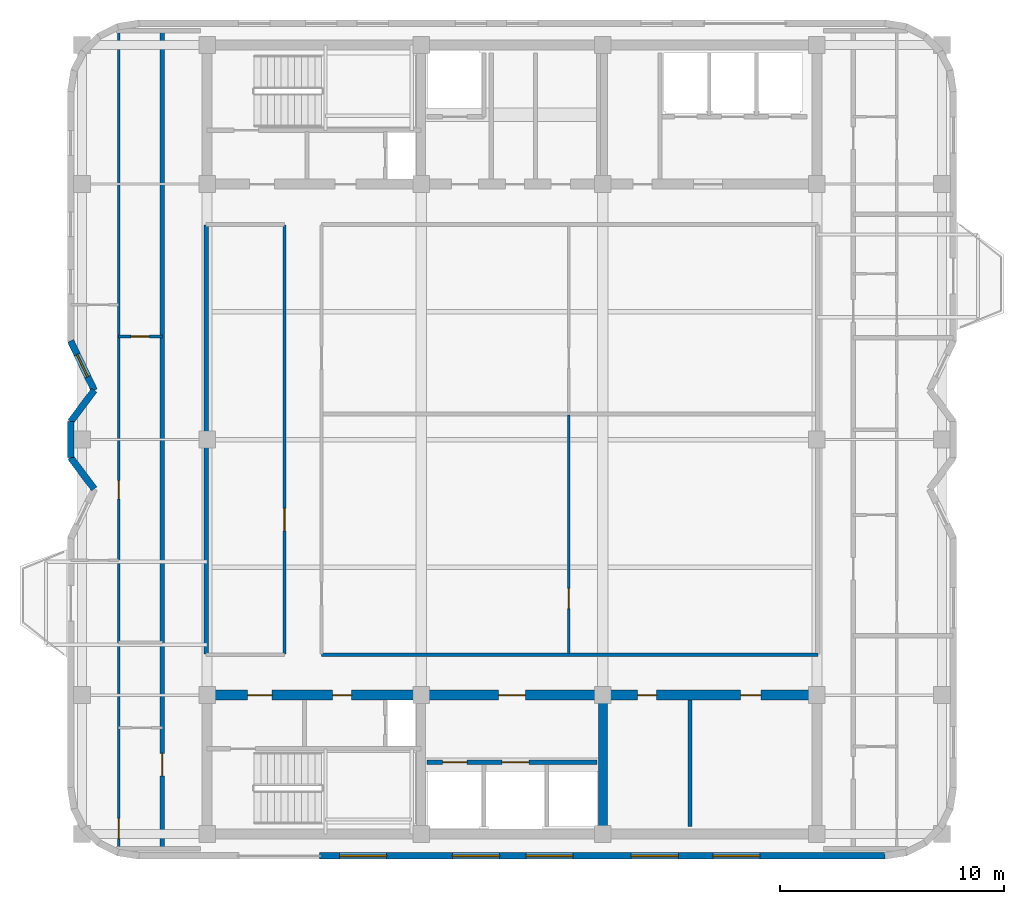
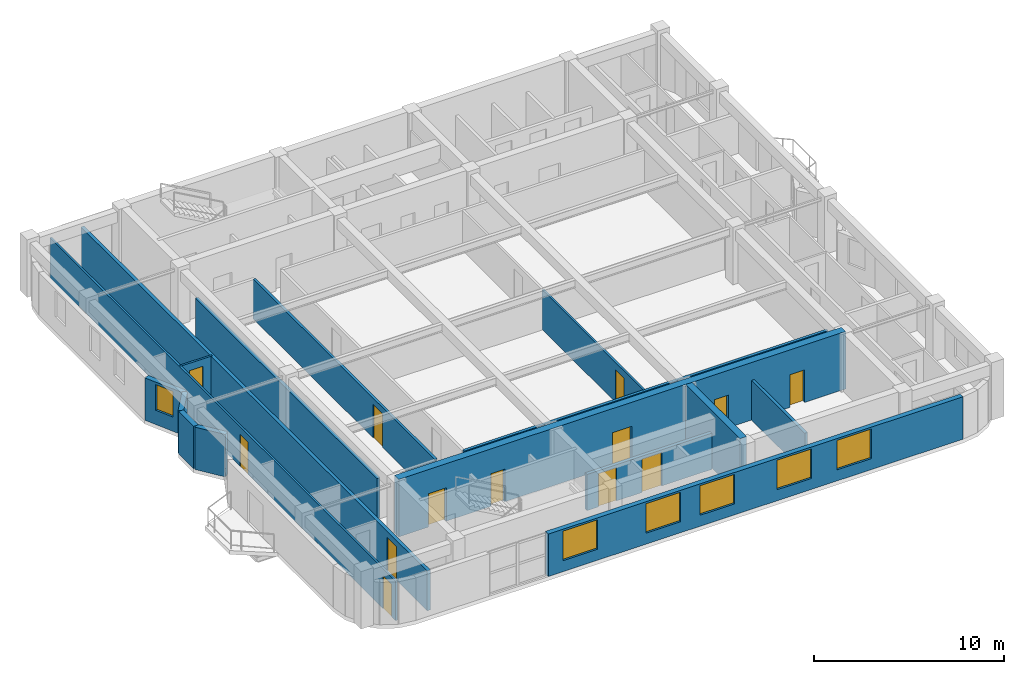
# One storey, part 6 of 11: 16 walls, 13 doors, 6 windows, 19 openings.
"""IFC4 building model written with IfcOpenShell, lengths in metres."""

from ifc_helpers import new_model, si_unit, direction, frame, frame_2d, origin, place, context, subcontext, project, spatial, rectangle, extrude, material, layer, layer_set, type_object, element, fill, save


model = new_model("IFC4")

# Units and contexts
model_context = context("Model", 3, precision=1e-05, world=origin(), true_north=direction((0.0, 1.0)))
body_context = subcontext(model_context, "Body", "Model", "MODEL_VIEW")
ifc_project = project(units=[si_unit("LENGTHUNIT", "METRE"), si_unit("AREAUNIT", "SQUARE_METRE"), si_unit("VOLUMEUNIT", "CUBIC_METRE"), si_unit("PLANEANGLEUNIT", "RADIAN"), si_unit("MASSUNIT", "GRAM", prefix="KILO")], contexts=[model_context])

# Site, building, storey
site_placement = place(None, origin())
site = spatial("IfcSite", under=ifc_project, at=site_placement, CompositionType="ELEMENT")
building_placement = place(site_placement, origin())
building = spatial("IfcBuilding", under=site, at=building_placement, Name="Svetorya Sky Lyceum", CompositionType="ELEMENT")
storey_placement = place(building_placement, frame((0.0, 0.0, 275.0)))
storey = spatial("IfcBuildingStorey", under=building, at=storey_placement, Name="L69", CompositionType="ELEMENT", Elevation=275.0)

# Wall
ifc_material_1 = material(Name="Concrete C40/50", Category="concrete")
ifc_layer_1 = layer(ifc_material_1, 0.39990234375)
ifc_layer_set_1 = layer_set([ifc_layer_1], Name="Concrete C40/50")
wall_type_1 = type_object("IfcWallType", Name="WL-CORE-400", PredefinedType="SHEAR", material=ifc_layer_set_1)
wall_1_placement = place(storey_placement, frame((43.25, 10.824951171875, 0.0), z_axis=(0.0, 0.0, 1.0), x_axis=(0.0, 1.0, 0.0)))
element("IfcWall", 1, at=wall_1_placement, inside=storey, type_object=wall_type_1, Name="L69 SC Internal Shear Web WEB2", PredefinedType="SHEAR", context=body_context, shape_type="SweptSolid", body=[
    extrude(rectangle(XDim=5.75, YDim=0.39990234375, at=frame_2d((2.875, 0.0))), origin(), (0.0, 0.0, 1.0), 3.699951171875),
])

# Wall, openings, doors
ifc_material_2 = material(Name="Concrete C50/60", Category="concrete")
ifc_layer_2 = layer(ifc_material_2, 0.449951171875)
ifc_layer_set_2 = layer_set([ifc_layer_2], Name="Concrete C50/60")
wall_type_2 = type_object("IfcWallType", Name="WL-CORE-450", PredefinedType="SHEAR", material=ifc_layer_set_2)
wall_2_placement = place(storey_placement, frame((25.60009765625, 16.800048828125, 0.0), z_axis=(0.0, 0.0, 1.0), x_axis=(1.0, 0.0, 0.0)))
wall_2 = element("IfcWall", 2, at=wall_2_placement, inside=storey, type_object=wall_type_2, Name="L69 SC Inner Core Shear Wall", PredefinedType="SHEAR", context=body_context, shape_type="SweptSolid", body=[
    extrude(rectangle(XDim=27.199951171875, YDim=0.449951171875, at=frame_2d((13.60009765625, 0.0))), origin(), (0.0, 0.0, 1.0), 3.699951171875),
])
opening_1_placement = place(wall_2_placement, frame((1.800048828125, 0.0, 0.0)))
opening_1 = element("IfcOpeningElement", 3, at=opening_1_placement, cuts=wall_2, Name="Opening D-ST1", PredefinedType="OPENING", context=body_context, shape_type="SweptSolid", body=[
    extrude(rectangle(XDim=1.10009765625, YDim=2.14990234375, at=frame_2d((0.550048828125, 1.074951171875))), frame((0.0, 0.23486328125, 0.0), z_axis=(0.0, -1.0, 0.0), x_axis=(1.0, 0.0, 0.0)), (0.0, 0.0, 1.0), 0.469970703125),
])
opening_2_placement = place(wall_2_placement, frame((5.60009765625, 0.0, 0.0)))
opening_2 = element("IfcOpeningElement", 4, at=opening_2_placement, cuts=wall_2, Name="Opening D-CWC1", PredefinedType="OPENING", context=body_context, shape_type="SweptSolid", body=[
    extrude(rectangle(XDim=0.85009765625, YDim=2.10009765625, at=frame_2d((0.425048828125, 1.050048828125))), frame((0.0, 0.23486328125, 0.0), z_axis=(0.0, -1.0, 0.0), x_axis=(1.0, 0.0, 0.0)), (0.0, 0.0, 1.0), 0.469970703125),
])
opening_3_placement = place(wall_2_placement, frame((13.0, 0.0, 0.0)))
opening_3 = element("IfcOpeningElement", 5, at=opening_3_placement, cuts=wall_2, Name="Opening D-FL1", PredefinedType="OPENING", context=body_context, shape_type="SweptSolid", body=[
    extrude(rectangle(XDim=1.199951171875, YDim=2.14990234375, at=frame_2d((0.60009765625, 1.074951171875))), frame((0.0, 0.23486328125, 0.0), z_axis=(0.0, -1.0, 0.0), x_axis=(1.0, 0.0, 0.0)), (0.0, 0.0, 1.0), 0.469970703125),
])
opening_4_placement = place(wall_2_placement, frame((19.199951171875, 0.0, 0.0)))
opening_4 = element("IfcOpeningElement", 6, at=opening_4_placement, cuts=wall_2, Name="Opening D-CWC1", PredefinedType="OPENING", context=body_context, shape_type="SweptSolid", body=[
    extrude(rectangle(XDim=0.85009765625, YDim=2.10009765625, at=frame_2d((0.425048828125, 1.050048828125))), frame((0.0, 0.23486328125, 0.0), z_axis=(0.0, -1.0, 0.0), x_axis=(1.0, 0.0, 0.0)), (0.0, 0.0, 1.0), 0.469970703125),
])
opening_5_placement = place(wall_2_placement, frame((23.800048828125, 0.0, 0.0)))
opening_5 = element("IfcOpeningElement", 7, at=opening_5_placement, cuts=wall_2, Name="Opening D-RM1", PredefinedType="OPENING", context=body_context, shape_type="SweptSolid", body=[
    extrude(rectangle(XDim=0.89990234375, YDim=2.10009765625, at=frame_2d((0.449951171875, 1.050048828125))), frame((0.0, 0.23486328125, 0.0), z_axis=(0.0, -1.0, 0.0), x_axis=(1.0, 0.0, 0.0)), (0.0, 0.0, 1.0), 0.469970703125),
])
ifc_material_3 = material(Name="Fire-rated galvanized steel core service closet door", Category="steel")
door_type_1 = type_object("IfcDoorType", Name="DR-CWET-850", OperationType="SINGLE_SWING_LEFT", PredefinedType="DOOR", material=ifc_material_3)
door_1_placement = place(opening_2_placement, origin())
door_1 = element("IfcDoor", 8, at=door_1_placement, inside=storey, type_object=door_type_1, Name="L69 South Hydrant Room Door", OperationType="SINGLE_SWING_LEFT", OverallHeight=2.10009765625, OverallWidth=0.85009765625, PredefinedType="DOOR", context=body_context, shape_type="SweptSolid", body=[
    extrude(rectangle(XDim=0.85009765625, YDim=2.10009765625, at=frame_2d((0.425048828125, 1.050048828125))), frame((0.0, 0.02490234375, 0.0), z_axis=(0.0, -1.0, 0.0), x_axis=(1.0, 0.0, 0.0)), (0.0, 0.0, 1.0), 0.050048828125),
])
fill(opening_2, door_1)
door_2_placement = place(opening_4_placement, origin())
door_2 = element("IfcDoor", 9, at=door_2_placement, inside=storey, type_object=door_type_1, Name="L69 Laundry Door", OperationType="SINGLE_SWING_RIGHT", OverallHeight=2.10009765625, OverallWidth=0.85009765625, PredefinedType="DOOR", context=body_context, shape_type="SweptSolid", body=[
    extrude(rectangle(XDim=0.85009765625, YDim=2.10009765625, at=frame_2d((0.425048828125, 1.050048828125))), frame((0.0, 0.02490234375, 0.0), z_axis=(0.0, -1.0, 0.0), x_axis=(1.0, 0.0, 0.0)), (0.0, 0.0, 1.0), 0.050048828125),
])
fill(opening_4, door_2)
ifc_material_4 = material(Name="Powder-coated insulated galvanized stair fire door")
door_type_2 = type_object("IfcDoorType", Name="DR-FIRE-1100", OperationType="SINGLE_SWING_LEFT", PredefinedType="DOOR", material=ifc_material_4)
door_3_placement = place(opening_1_placement, origin())
door_3 = element("IfcDoor", 10, at=door_3_placement, inside=storey, type_object=door_type_2, Name="L69 South Stair Airlock Door", OperationType="SINGLE_SWING_RIGHT", OverallHeight=2.14990234375, OverallWidth=1.10009765625, PredefinedType="DOOR", context=body_context, shape_type="SweptSolid", body=[
    extrude(rectangle(XDim=1.10009765625, YDim=2.14990234375, at=frame_2d((0.550048828125, 1.074951171875))), frame((0.0, 0.02490234375, 0.0), z_axis=(0.0, -1.0, 0.0), x_axis=(1.0, 0.0, 0.0)), (0.0, 0.0, 1.0), 0.050048828125),
])
fill(opening_1, door_3)
ifc_material_5 = material(Name="Powder-coated insulated galvanized fire door")
door_type_3 = type_object("IfcDoorType", Name="DR-FIRE-1200", OperationType="SINGLE_SWING_LEFT", PredefinedType="DOOR", material=ifc_material_5)
door_4_placement = place(opening_3_placement, origin())
door_4 = element("IfcDoor", 11, at=door_4_placement, inside=storey, type_object=door_type_3, Name="L69 South Firefighting Lift Lobby Door", OperationType="SINGLE_SWING_LEFT", OverallHeight=2.14990234375, OverallWidth=1.199951171875, PredefinedType="DOOR", context=body_context, shape_type="SweptSolid", body=[
    extrude(rectangle(XDim=1.199951171875, YDim=2.14990234375, at=frame_2d((0.60009765625, 1.074951171875))), frame((0.0, 0.02490234375, 0.0), z_axis=(0.0, -1.0, 0.0), x_axis=(1.0, 0.0, 0.0)), (0.0, 0.0, 1.0), 0.050048828125),
])
fill(opening_3, door_4)
ifc_material_6 = material(Name="Lacquered birch veneer internal door")
door_type_4 = type_object("IfcDoorType", Name="DR-INT-900", OperationType="SINGLE_SWING_LEFT", PredefinedType="DOOR", material=ifc_material_6)
door_5_placement = place(opening_5_placement, origin())
door_5 = element("IfcDoor", 12, at=door_5_placement, inside=storey, type_object=door_type_4, Name="L69 Pantry Door", OperationType="SINGLE_SWING_LEFT", OverallHeight=2.10009765625, OverallWidth=0.89990234375, PredefinedType="DOOR", context=body_context, shape_type="SweptSolid", body=[
    extrude(rectangle(XDim=0.89990234375, YDim=2.10009765625, at=frame_2d((0.449951171875, 1.050048828125))), frame((0.0, 0.02490234375, 0.0), z_axis=(0.0, -1.0, 0.0), x_axis=(1.0, 0.0, 0.0)), (0.0, 0.0, 1.0), 0.050048828125),
])
fill(opening_5, door_5)

# Wall, openings, windows
ifc_material_7 = material(Name="Putilovo limestone rainscreen on autoclaved cellular masonry", Category="masonry")
ifc_layer_3 = layer(ifc_material_7, 0.300048828125)
ifc_layer_set_3 = layer_set([ifc_layer_3], Name="Putilovo limestone rainscreen on autoclaved cellular masonry")
wall_type_3 = type_object("IfcWallType", Name="WL-EXT-300", PredefinedType="SOLIDWALL", material=ifc_layer_set_3)
wall_3_placement = place(storey_placement, frame((30.610107421875, 9.6298828125, 0.0), z_axis=(0.0, 0.0, 1.0), x_axis=(1.0, 0.0, 0.0)))
wall_3 = element("IfcWall", 13, at=wall_3_placement, inside=storey, type_object=wall_type_3, Name="L69 Limestone Exterior Wall 6B", PredefinedType="SOLIDWALL", context=body_context, shape_type="SweptSolid", body=[
    extrude(rectangle(XDim=25.22998046875, YDim=0.300048828125, at=frame_2d((12.614990234375, 0.0))), origin(), (0.0, 0.0, 1.0), 2.72998046875),
])
opening_6_placement = place(wall_3_placement, frame((0.894287109375, 0.0, 0.7099609375)))
opening_6 = element("IfcOpeningElement", 14, at=opening_6_placement, cuts=wall_3, Name="Opening W-R0", PredefinedType="OPENING", context=body_context, shape_type="SweptSolid", body=[
    extrude(rectangle(XDim=2.10009765625, YDim=1.89990234375, at=frame_2d((1.050048828125, 0.949951171875))), frame((0.0, 0.159912109375, 0.0), z_axis=(0.0, -1.0, 0.0), x_axis=(1.0, 0.0, 0.0)), (0.0, 0.0, 1.0), 0.320068359375),
])
opening_7_placement = place(wall_3_placement, frame((5.9326171875, 0.0, 0.7099609375)))
opening_7 = element("IfcOpeningElement", 15, at=opening_7_placement, cuts=wall_3, Name="Opening W-R0", PredefinedType="OPENING", context=body_context, shape_type="SweptSolid", body=[
    extrude(rectangle(XDim=2.10009765625, YDim=1.89990234375, at=frame_2d((1.050048828125, 0.949951171875))), frame((0.0, 0.159912109375, 0.0), z_axis=(0.0, -1.0, 0.0), x_axis=(1.0, 0.0, 0.0)), (0.0, 0.0, 1.0), 0.320068359375),
])
opening_8_placement = place(wall_3_placement, frame((9.220703125, 0.0, 0.7099609375)))
opening_8 = element("IfcOpeningElement", 16, at=opening_8_placement, cuts=wall_3, Name="Opening W-R0", PredefinedType="OPENING", context=body_context, shape_type="SweptSolid", body=[
    extrude(rectangle(XDim=2.10009765625, YDim=1.89990234375, at=frame_2d((1.050048828125, 0.949951171875))), frame((0.0, 0.159912109375, 0.0), z_axis=(0.0, -1.0, 0.0), x_axis=(1.0, 0.0, 0.0)), (0.0, 0.0, 1.0), 0.320068359375),
])
opening_9_placement = place(wall_3_placement, frame((13.9091796875, 0.0, 0.7099609375)))
opening_9 = element("IfcOpeningElement", 17, at=opening_9_placement, cuts=wall_3, Name="Opening W-R0", PredefinedType="OPENING", context=body_context, shape_type="SweptSolid", body=[
    extrude(rectangle(XDim=2.10009765625, YDim=1.89990234375, at=frame_2d((1.050048828125, 0.949951171875))), frame((0.0, 0.159912109375, 0.0), z_axis=(0.0, -1.0, 0.0), x_axis=(1.0, 0.0, 0.0)), (0.0, 0.0, 1.0), 0.320068359375),
])
opening_10_placement = place(wall_3_placement, frame((17.547607421875, 0.0, 0.7099609375)))
opening_10 = element("IfcOpeningElement", 18, at=opening_10_placement, cuts=wall_3, Name="Opening W-R0", PredefinedType="OPENING", context=body_context, shape_type="SweptSolid", body=[
    extrude(rectangle(XDim=2.10009765625, YDim=1.89990234375, at=frame_2d((1.050048828125, 0.949951171875))), frame((0.0, 0.159912109375, 0.0), z_axis=(0.0, -1.0, 0.0), x_axis=(1.0, 0.0, 0.0)), (0.0, 0.0, 1.0), 0.320068359375),
])
ifc_material_8 = material(Name="Thermally broken aluminium frame with triple low-E glazing", Category="aluminium")
window_type_1 = type_object("IfcWindowType", Name="WN-RES-210", PartitioningType="TRIPLE_PANEL_VERTICAL", PredefinedType="WINDOW", material=ifc_material_8)
window_1_placement = place(opening_6_placement, origin())
window_1 = element("IfcWindow", 19, at=window_1_placement, inside=storey, type_object=window_type_1, Name="L69 Facade Window W-R0.6B.1", OverallHeight=1.89990234375, OverallWidth=2.10009765625, PartitioningType="SINGLE_PANEL", PredefinedType="WINDOW", context=body_context, shape_type="SweptSolid", body=[
    extrude(rectangle(XDim=2.10009765625, YDim=1.89990234375, at=frame_2d((1.050048828125, 0.949951171875))), frame((0.0, 0.030029296875, 0.0), z_axis=(0.0, -1.0, 0.0), x_axis=(1.0, 0.0, 0.0)), (0.0, 0.0, 1.0), 0.06005859375),
])
fill(opening_6, window_1)
window_2_placement = place(opening_7_placement, origin())
window_2 = element("IfcWindow", 20, at=window_2_placement, inside=storey, type_object=window_type_1, Name="L69 Facade Window W-R0.6B.2", OverallHeight=1.89990234375, OverallWidth=2.10009765625, PartitioningType="SINGLE_PANEL", PredefinedType="WINDOW", context=body_context, shape_type="SweptSolid", body=[
    extrude(rectangle(XDim=2.10009765625, YDim=1.89990234375, at=frame_2d((1.050048828125, 0.949951171875))), frame((0.0, 0.030029296875, 0.0), z_axis=(0.0, -1.0, 0.0), x_axis=(1.0, 0.0, 0.0)), (0.0, 0.0, 1.0), 0.06005859375),
])
fill(opening_7, window_2)
window_3_placement = place(opening_8_placement, origin())
window_3 = element("IfcWindow", 21, at=window_3_placement, inside=storey, type_object=window_type_1, Name="L69 Facade Window W-R0.6B.3", OverallHeight=1.89990234375, OverallWidth=2.10009765625, PartitioningType="SINGLE_PANEL", PredefinedType="WINDOW", context=body_context, shape_type="SweptSolid", body=[
    extrude(rectangle(XDim=2.10009765625, YDim=1.89990234375, at=frame_2d((1.050048828125, 0.949951171875))), frame((0.0, 0.030029296875, 0.0), z_axis=(0.0, -1.0, 0.0), x_axis=(1.0, 0.0, 0.0)), (0.0, 0.0, 1.0), 0.06005859375),
])
fill(opening_8, window_3)
window_4_placement = place(opening_9_placement, origin())
window_4 = element("IfcWindow", 22, at=window_4_placement, inside=storey, type_object=window_type_1, Name="L69 Facade Window W-R0.6B.4", OverallHeight=1.89990234375, OverallWidth=2.10009765625, PartitioningType="SINGLE_PANEL", PredefinedType="WINDOW", context=body_context, shape_type="SweptSolid", body=[
    extrude(rectangle(XDim=2.10009765625, YDim=1.89990234375, at=frame_2d((1.050048828125, 0.949951171875))), frame((0.0, 0.030029296875, 0.0), z_axis=(0.0, -1.0, 0.0), x_axis=(1.0, 0.0, 0.0)), (0.0, 0.0, 1.0), 0.06005859375),
])
fill(opening_9, window_4)
window_5_placement = place(opening_10_placement, origin())
window_5 = element("IfcWindow", 23, at=window_5_placement, inside=storey, type_object=window_type_1, Name="L69 Facade Window W-R0.6B.5", OverallHeight=1.89990234375, OverallWidth=2.10009765625, PartitioningType="SINGLE_PANEL", PredefinedType="WINDOW", context=body_context, shape_type="SweptSolid", body=[
    extrude(rectangle(XDim=2.10009765625, YDim=1.89990234375, at=frame_2d((1.050048828125, 0.949951171875))), frame((0.0, 0.030029296875, 0.0), z_axis=(0.0, -1.0, 0.0), x_axis=(1.0, 0.0, 0.0)), (0.0, 0.0, 1.0), 0.06005859375),
])
fill(opening_10, window_5)

# Wall, opening, window
wall_4_placement = place(storey_placement, frame((19.510009765625, 32.60009765625, 0.0), z_axis=(0.0, 0.0, 1.0), x_axis=(0.430714756408, -0.902488115496, 0.0)))
wall_4 = element("IfcWall", 24, at=wall_4_placement, inside=storey, type_object=wall_type_3, Name="L69 Limestone Exterior Wall 31M", PredefinedType="SOLIDWALL", context=body_context, shape_type="SweptSolid", body=[
    extrude(rectangle(XDim=2.43798828125, YDim=0.300048828125, at=frame_2d((1.218994140625, 0.0))), origin(), (0.0, 0.0, 1.0), 2.72998046875),
])
opening_11_placement = place(wall_4_placement, frame((0.6689453125, 0.0, 0.919921875)))
opening_11 = element("IfcOpeningElement", 25, at=opening_11_placement, cuts=wall_4, Name="Opening W-R3", PredefinedType="OPENING", context=body_context, shape_type="SweptSolid", body=[
    extrude(rectangle(XDim=1.10009765625, YDim=1.64990234375, at=frame_2d((0.550048828125, 0.824951171875))), frame((0.0, 0.159912109375, 0.0), z_axis=(0.0, -1.0, 0.0), x_axis=(1.0, 0.0, 0.0)), (0.0, 0.0, 1.0), 0.320068359375),
])
window_type_2 = type_object("IfcWindowType", Name="WN-RES-110", PartitioningType="SINGLE_PANEL", PredefinedType="WINDOW", material=ifc_material_8)
window_6_placement = place(opening_11_placement, origin())
window_6 = element("IfcWindow", 26, at=window_6_placement, inside=storey, type_object=window_type_2, Name="L69 Facade Window W-R3.31M.1", OverallHeight=1.64990234375, OverallWidth=1.10009765625, PartitioningType="SINGLE_PANEL", PredefinedType="WINDOW", context=body_context, shape_type="SweptSolid", body=[
    extrude(rectangle(XDim=1.10009765625, YDim=1.64990234375, at=frame_2d((0.550048828125, 0.824951171875))), frame((0.0, 0.030029296875, 0.0), z_axis=(0.0, -1.0, 0.0), x_axis=(1.0, 0.0, 0.0)), (0.0, 0.0, 1.0), 0.06005859375),
])
fill(opening_11, window_6)

# Walls
wall_5_placement = place(storey_placement, frame((20.56005859375, 30.39990234375, 0.0), z_axis=(0.0, 0.0, 1.0), x_axis=(-0.600044643168, -0.799966515677, 0.0)))
element("IfcWall", 27, at=wall_5_placement, inside=storey, type_object=wall_type_3, Name="L69 Limestone Exterior Wall 32M", PredefinedType="SOLIDWALL", context=body_context, shape_type="SweptSolid", body=[
    extrude(rectangle(XDim=1.75, YDim=0.300048828125, at=frame_2d((0.875, 0.0))), origin(), (0.0, 0.0, 1.0), 2.72998046875),
])
wall_6_placement = place(storey_placement, frame((19.510009765625, 29.0, 0.0), z_axis=(0.0, 0.0, 1.0), x_axis=(0.0, -1.0, 0.0)))
element("IfcWall", 28, at=wall_6_placement, inside=storey, type_object=wall_type_3, Name="L69 Limestone Exterior Wall 33M", PredefinedType="SOLIDWALL", context=body_context, shape_type="SweptSolid", body=[
    extrude(rectangle(XDim=1.60009765625, YDim=0.300048828125, at=frame_2d((0.800048828125, 0.0))), origin(), (0.0, 0.0, 1.0), 2.72998046875),
])
wall_7_placement = place(storey_placement, frame((19.510009765625, 27.39990234375, 0.0), z_axis=(0.0, 0.0, 1.0), x_axis=(0.600044643168, -0.799966515677, 0.0)))
element("IfcWall", 29, at=wall_7_placement, inside=storey, type_object=wall_type_3, Name="L69 Limestone Exterior Wall 34M", PredefinedType="SOLIDWALL", context=body_context, shape_type="SweptSolid", body=[
    extrude(rectangle(XDim=1.75, YDim=0.300048828125, at=frame_2d((0.875, 0.0))), origin(), (0.0, 0.0, 1.0), 2.72998046875),
])

# Wall, opening, door
ifc_material_9 = material(Name="Twin-stud galvanized framing with double fireboard", Category="gypsum")
ifc_layer_4 = layer(ifc_material_9, 0.1201171875)
ifc_layer_set_4 = layer_set([ifc_layer_4], Name="Twin-stud galvanized framing with double fireboard")
wall_type_4 = type_object("IfcWallType", Name="WL-PART-120", PredefinedType="PARTITIONING", material=ifc_layer_set_4)
wall_8_placement = place(storey_placement, frame((41.735107421875, 18.659912109375, 0.0), z_axis=(0.0, 0.0, 1.0), x_axis=(0.0, 1.0, 0.0)))
wall_8 = element("IfcWall", 30, at=wall_8_placement, inside=storey, type_object=wall_type_4, Name="L69 Interior Partition OFF-VEM1", PredefinedType="PARTITIONING", context=body_context, shape_type="SweptSolid", body=[
    extrude(rectangle(XDim=10.6484375, YDim=0.1201171875, at=frame_2d((5.32421875, 0.0))), origin(), (0.0, 0.0, 1.0), 2.56005859375),
])
opening_12_placement = place(wall_8_placement, frame((2.0, 0.0, 0.0)))
opening_12 = element("IfcOpeningElement", 31, at=opening_12_placement, cuts=wall_8, Name="Opening D-RM1", PredefinedType="OPENING", context=body_context, shape_type="SweptSolid", body=[
    extrude(rectangle(XDim=0.89990234375, YDim=2.10009765625, at=frame_2d((0.449951171875, 1.050048828125))), frame((0.0, 0.070068359375, 0.0), z_axis=(0.0, -1.0, 0.0), x_axis=(1.0, 0.0, 0.0)), (0.0, 0.0, 1.0), 0.14013671875),
])
door_6_placement = place(opening_12_placement, origin())
door_6 = element("IfcDoor", 32, at=door_6_placement, inside=storey, type_object=door_type_4, Name="L69 East Study Door", OperationType="SINGLE_SWING_LEFT", OverallHeight=2.10009765625, OverallWidth=0.89990234375, PredefinedType="DOOR", context=body_context, shape_type="SweptSolid", body=[
    extrude(rectangle(XDim=0.89990234375, YDim=2.10009765625, at=frame_2d((0.449951171875, 1.050048828125))), frame((0.0, 0.02490234375, 0.0), z_axis=(0.0, -1.0, 0.0), x_axis=(1.0, 0.0, 0.0)), (0.0, 0.0, 1.0), 0.050048828125),
])
fill(opening_12, door_6)

wall_9_placement = place(storey_placement, frame((21.64990234375, 32.800048828125, 0.0), z_axis=(0.0, 0.0, 1.0), x_axis=(1.0, 0.0, 0.0)))
wall_9 = element("IfcWall", 33, at=wall_9_placement, inside=storey, type_object=wall_type_4, Name="L69 Interior Partition W1-WH3", PredefinedType="PARTITIONING", context=body_context, shape_type="SweptSolid", body=[
    extrude(rectangle(XDim=1.9501953125, YDim=0.1201171875, at=frame_2d((0.97509765625, 0.0))), origin(), (0.0, 0.0, 1.0), 2.56005859375),
])
opening_13_placement = place(wall_9_placement, frame((0.550048828125, 0.0, 0.0)))
opening_13 = element("IfcOpeningElement", 34, at=opening_13_placement, cuts=wall_9, Name="Opening D-BT2", PredefinedType="OPENING", context=body_context, shape_type="SweptSolid", body=[
    extrude(rectangle(XDim=0.820068359375, YDim=2.080078125, at=frame_2d((0.41015625, 1.0400390625))), frame((0.0, 0.070068359375, 0.0), z_axis=(0.0, -1.0, 0.0), x_axis=(1.0, 0.0, 0.0)), (0.0, 0.0, 1.0), 0.14013671875),
])
ifc_material_10 = material(Name="Compact moisture-resistant laminate closet door")
door_type_5 = type_object("IfcDoorType", Name="DR-WET-820", OperationType="SINGLE_SWING_LEFT", PredefinedType="DOOR", material=ifc_material_10)
door_7_placement = place(opening_13_placement, origin())
door_7 = element("IfcDoor", 35, at=door_7_placement, inside=storey, type_object=door_type_5, Name="Apartment W1 Laundry Door", OperationType="SINGLE_SWING_RIGHT", OverallHeight=2.080078125, OverallWidth=0.820068359375, PredefinedType="DOOR", context=body_context, shape_type="SweptSolid", body=[
    extrude(rectangle(XDim=0.820068359375, YDim=2.080078125, at=frame_2d((0.41015625, 1.0400390625))), frame((0.0, 0.02490234375, 0.0), z_axis=(0.0, -1.0, 0.0), x_axis=(1.0, 0.0, 0.0)), (0.0, 0.0, 1.0), 0.050048828125),
])
fill(opening_13, door_7)

# Wall, openings, doors
wall_10_placement = place(storey_placement, frame((21.64990234375, 9.989990234375, 0.0), z_axis=(0.0, 0.0, 1.0), x_axis=(0.0, 1.0, 0.0)))
wall_10 = element("IfcWall", 36, at=wall_10_placement, inside=storey, type_object=wall_type_4, Name="L69 Interior Partition W1-WV", PredefinedType="PARTITIONING", context=body_context, shape_type="SweptSolid", body=[
    extrude(rectangle(XDim=36.419921875, YDim=0.1201171875, at=frame_2d((18.2099609375, 0.0))), origin(), (0.0, 0.0, 1.0), 2.56005859375),
])
opening_14_placement = place(wall_10_placement, frame((0.409912109375, 0.0, 0.0)))
opening_14 = element("IfcOpeningElement", 37, at=opening_14_placement, cuts=wall_10, Name="Opening D-RM1", PredefinedType="OPENING", context=body_context, shape_type="SweptSolid", body=[
    extrude(rectangle(XDim=0.89990234375, YDim=2.10009765625, at=frame_2d((0.449951171875, 1.050048828125))), frame((0.0, 0.070068359375, 0.0), z_axis=(0.0, -1.0, 0.0), x_axis=(1.0, 0.0, 0.0)), (0.0, 0.0, 1.0), 0.14013671875),
])
opening_15_placement = place(wall_10_placement, frame((15.56005859375, 0.0, 0.0)))
opening_15 = element("IfcOpeningElement", 38, at=opening_15_placement, cuts=wall_10, Name="Opening D-BT2", PredefinedType="OPENING", context=body_context, shape_type="SweptSolid", body=[
    extrude(rectangle(XDim=0.820068359375, YDim=2.080078125, at=frame_2d((0.41015625, 1.0400390625))), frame((0.0, 0.070068359375, 0.0), z_axis=(0.0, -1.0, 0.0), x_axis=(1.0, 0.0, 0.0)), (0.0, 0.0, 1.0), 0.14013671875),
])
door_8_placement = place(opening_14_placement, origin())
door_8 = element("IfcDoor", 39, at=door_8_placement, inside=storey, type_object=door_type_4, Name="Apartment W1 Living Door", OperationType="SINGLE_SWING_RIGHT", OverallHeight=2.10009765625, OverallWidth=0.89990234375, PredefinedType="DOOR", context=body_context, shape_type="SweptSolid", body=[
    extrude(rectangle(XDim=0.89990234375, YDim=2.10009765625, at=frame_2d((0.449951171875, 1.050048828125))), frame((0.0, 0.02490234375, 0.0), z_axis=(0.0, -1.0, 0.0), x_axis=(1.0, 0.0, 0.0)), (0.0, 0.0, 1.0), 0.050048828125),
])
fill(opening_14, door_8)
door_9_placement = place(opening_15_placement, origin())
door_9 = element("IfcDoor", 40, at=door_9_placement, inside=storey, type_object=door_type_5, Name="Apartment W1 Study Door", OperationType="SINGLE_SWING_LEFT", OverallHeight=2.080078125, OverallWidth=0.820068359375, PredefinedType="DOOR", context=body_context, shape_type="SweptSolid", body=[
    extrude(rectangle(XDim=0.820068359375, YDim=2.080078125, at=frame_2d((0.41015625, 1.0400390625))), frame((0.0, 0.02490234375, 0.0), z_axis=(0.0, -1.0, 0.0), x_axis=(1.0, 0.0, 0.0)), (0.0, 0.0, 1.0), 0.050048828125),
])
fill(opening_15, door_9)

# Wall, opening, door
ifc_material_11 = material(Name="Autoclaved cellular masonry blockwork with acoustic render", Category="masonry")
ifc_layer_5 = layer(ifc_material_11, 0.14990234375)
ifc_layer_set_5 = layer_set([ifc_layer_5], Name="Autoclaved cellular masonry blockwork with acoustic render")
wall_type_5 = type_object("IfcWallType", Name="WL-PART-150", PredefinedType="PARTITIONING", material=ifc_layer_set_5)
wall_11_placement = place(storey_placement, frame((29.050048828125, 18.6298828125, 0.0), z_axis=(0.0, 0.0, 1.0), x_axis=(0.0, 1.0, 0.0)))
wall_11 = element("IfcWall", 41, at=wall_11_placement, inside=storey, type_object=wall_type_5, Name="L69 Interior Partition OFF-VW", PredefinedType="PARTITIONING", context=body_context, shape_type="SweptSolid", body=[
    extrude(rectangle(XDim=19.14013671875, YDim=0.14990234375, at=frame_2d((9.570068359375, 0.0))), origin(), (0.0, 0.0, 1.0), 2.56005859375),
])
opening_16_placement = place(wall_11_placement, frame((5.5, 0.0, 0.0)))
opening_16 = element("IfcOpeningElement", 42, at=opening_16_placement, cuts=wall_11, Name="Opening D-RM2", PredefinedType="OPENING", context=body_context, shape_type="SweptSolid", body=[
    extrude(rectangle(XDim=1.0, YDim=2.14990234375, at=frame_2d((0.5, 1.074951171875))), frame((0.0, 0.0849609375, 0.0), z_axis=(0.0, -1.0, 0.0), x_axis=(1.0, 0.0, 0.0)), (0.0, 0.0, 1.0), 0.169921875),
])
ifc_material_12 = material(Name="Solid-core oak acoustic room door")
door_type_6 = type_object("IfcDoorType", Name="DR-INT-1000", OperationType="SINGLE_SWING_LEFT", PredefinedType="DOOR", material=ifc_material_12)
door_10_placement = place(opening_16_placement, origin())
door_10 = element("IfcDoor", 43, at=door_10_placement, inside=storey, type_object=door_type_6, Name="L69 West Office Door", OperationType="SINGLE_SWING_LEFT", OverallHeight=2.14990234375, OverallWidth=1.0, PredefinedType="DOOR", context=body_context, shape_type="SweptSolid", body=[
    extrude(rectangle(XDim=1.0, YDim=2.14990234375, at=frame_2d((0.5, 1.074951171875))), frame((0.0, 0.02490234375, 0.0), z_axis=(0.0, -1.0, 0.0), x_axis=(1.0, 0.0, 0.0)), (0.0, 0.0, 1.0), 0.050048828125),
])
fill(opening_16, door_10)

# Walls
ifc_material_13 = material(Name="Autoclaved cellular masonry blockwork with fire render", Category="masonry")
ifc_layer_6 = layer(ifc_material_13, 0.175048828125)
ifc_layer_set_6 = layer_set([ifc_layer_6], Name="Autoclaved cellular masonry blockwork with fire render")
wall_type_6 = type_object("IfcWallType", Name="WL-PART-175", PredefinedType="PARTITIONING", material=ifc_layer_set_6)
wall_12_placement = place(storey_placement, frame((47.14990234375, 10.949951171875, 0.0), z_axis=(0.0, 0.0, 1.0), x_axis=(0.0, 1.0, 0.0)))
element("IfcWall", 44, at=wall_12_placement, inside=storey, type_object=wall_type_6, Name="L69 Interior Partition SC-LV7-VA", PredefinedType="PARTITIONING", context=body_context, shape_type="SweptSolid", body=[
    extrude(rectangle(XDim=5.630126953125, YDim=0.175048828125, at=frame_2d((2.81494140625, 0.0))), origin(), (0.0, 0.0, 1.0), 2.56005859375),
])
wall_13_placement = place(storey_placement, frame((30.699951171875, 18.60009765625, 0.0), z_axis=(0.0, 0.0, 1.0), x_axis=(1.0, 0.0, 0.0)))
element("IfcWall", 45, at=wall_13_placement, inside=storey, type_object=wall_type_6, Name="L69 Interior Partition OFF-CS-E", PredefinedType="PARTITIONING", context=body_context, shape_type="SweptSolid", body=[
    extrude(rectangle(XDim=22.150146484375, YDim=0.175048828125, at=frame_2d((11.0751953125, 0.0))), origin(), (0.0, 0.0, 1.0), 2.56005859375),
])

# Wall, openings, doors
ifc_material_14 = material(Name="Autoclaved cellular masonry blockwork with gypsum plaster", Category="masonry")
ifc_layer_7 = layer(ifc_material_14, 0.199951171875)
ifc_layer_set_7 = layer_set([ifc_layer_7], Name="Autoclaved cellular masonry blockwork with gypsum plaster")
wall_type_7 = type_object("IfcWallType", Name="WL-PART-200", PredefinedType="PARTITIONING", material=ifc_layer_set_7)
wall_14_placement = place(storey_placement, frame((35.39990234375, 13.800048828125, 0.0), z_axis=(0.0, 0.0, 1.0), x_axis=(1.0, 0.0, 0.0)))
wall_14 = element("IfcWall", 46, at=wall_14_placement, inside=storey, type_object=wall_type_7, Name="L69 Interior Partition SC-FLW", PredefinedType="PARTITIONING", context=body_context, shape_type="SweptSolid", body=[
    extrude(rectangle(XDim=7.60009765625, YDim=0.199951171875, at=frame_2d((3.800048828125, 0.0))), origin(), (0.0, 0.0, 1.0), 2.330078125),
])
opening_17_placement = place(wall_14_placement, frame((0.699951171875, 0.0, 0.0)))
opening_17 = element("IfcOpeningElement", 47, at=opening_17_placement, cuts=wall_14, Name="Opening LD-FL", PredefinedType="OPENING", context=body_context, shape_type="SweptSolid", body=[
    extrude(rectangle(XDim=1.10009765625, YDim=2.14990234375, at=frame_2d((0.550048828125, 1.074951171875))), frame((0.0, 0.10986328125, 0.0), z_axis=(0.0, -1.0, 0.0), x_axis=(1.0, 0.0, 0.0)), (0.0, 0.0, 1.0), 0.219970703125),
])
opening_18_placement = place(wall_14_placement, frame((3.35009765625, 0.0, 0.0)))
opening_18 = element("IfcOpeningElement", 48, at=opening_18_placement, cuts=wall_14, Name="Opening LD-SV", PredefinedType="OPENING", context=body_context, shape_type="SweptSolid", body=[
    extrude(rectangle(XDim=1.199951171875, YDim=2.14990234375, at=frame_2d((0.60009765625, 1.074951171875))), frame((0.0, 0.10986328125, 0.0), z_axis=(0.0, -1.0, 0.0), x_axis=(1.0, 0.0, 0.0)), (0.0, 0.0, 1.0), 0.219970703125),
])
ifc_material_15 = material(Name="Fire-rated stainless AISI 304 firefighting lift landing door")
door_type_7 = type_object("IfcDoorType", Name="DR-LIFT-1100", OperationType="SLIDING_TO_LEFT", PredefinedType="DOOR", material=ifc_material_15)
door_11_placement = place(opening_17_placement, origin())
door_11 = element("IfcDoor", 49, at=door_11_placement, inside=storey, type_object=door_type_7, Name="L69 Firefighting Lift FL2 Landing Door", OperationType="SLIDING_TO_LEFT", OverallHeight=2.14990234375, OverallWidth=1.10009765625, PredefinedType="DOOR", context=body_context, shape_type="SweptSolid", body=[
    extrude(rectangle(XDim=1.10009765625, YDim=2.14990234375, at=frame_2d((0.550048828125, 1.074951171875))), frame((0.0, 0.02490234375, 0.0), z_axis=(0.0, -1.0, 0.0), x_axis=(1.0, 0.0, 0.0)), (0.0, 0.0, 1.0), 0.050048828125),
])
fill(opening_17, door_11)
ifc_material_16 = material(Name="Brushed stainless AISI 304 telescopic lift landing door")
door_type_8 = type_object("IfcDoorType", Name="DR-LIFT-1200", OperationType="SLIDING_TO_LEFT", PredefinedType="DOOR", material=ifc_material_16)
door_12_placement = place(opening_18_placement, origin())
door_12 = element("IfcDoor", 50, at=door_12_placement, inside=storey, type_object=door_type_8, Name="L69 Service Lift SVL1 Landing Door", OperationType="SLIDING_TO_LEFT", OverallHeight=2.14990234375, OverallWidth=1.199951171875, PredefinedType="DOOR", context=body_context, shape_type="SweptSolid", body=[
    extrude(rectangle(XDim=1.199951171875, YDim=2.14990234375, at=frame_2d((0.60009765625, 1.074951171875))), frame((0.0, 0.02490234375, 0.0), z_axis=(0.0, -1.0, 0.0), x_axis=(1.0, 0.0, 0.0)), (0.0, 0.0, 1.0), 0.050048828125),
])
fill(opening_18, door_12)

# Wall
wall_15_placement = place(storey_placement, frame((25.550048828125, 18.6298828125, 0.0), z_axis=(0.0, 0.0, 1.0), x_axis=(0.0, 1.0, 0.0)))
element("IfcWall", 51, at=wall_15_placement, inside=storey, type_object=wall_type_7, Name="L69 Interior Partition W-CEN-SEP", PredefinedType="PARTITIONING", context=body_context, shape_type="SweptSolid", body=[
    extrude(rectangle(XDim=19.14013671875, YDim=0.199951171875, at=frame_2d((9.570068359375, 0.0))), origin(), (0.0, 0.0, 1.0), 2.56005859375),
])

# Wall, opening, door
wall_16_placement = place(storey_placement, frame((23.60009765625, 9.949951171875, 0.0), z_axis=(0.0, 0.0, 1.0), x_axis=(0.0, 1.0, 0.0)))
wall_16 = element("IfcWall", 52, at=wall_16_placement, inside=storey, type_object=wall_type_7, Name="L69 Interior Partition W-CORRW", PredefinedType="PARTITIONING", context=body_context, shape_type="SweptSolid", body=[
    extrude(rectangle(XDim=36.5, YDim=0.199951171875, at=frame_2d((18.25, 0.0))), origin(), (0.0, 0.0, 1.0), 2.56005859375),
])
opening_19_placement = place(wall_16_placement, frame((3.25, 0.0, 0.0)))
opening_19 = element("IfcOpeningElement", 53, at=opening_19_placement, cuts=wall_16, Name="Opening D-APT1", PredefinedType="OPENING", context=body_context, shape_type="SweptSolid", body=[
    extrude(rectangle(XDim=1.0, YDim=2.14990234375, at=frame_2d((0.5, 1.074951171875))), frame((0.0, 0.10986328125, 0.0), z_axis=(0.0, -1.0, 0.0), x_axis=(1.0, 0.0, 0.0)), (0.0, 0.0, 1.0), 0.219970703125),
])
ifc_material_17 = material(Name="Insulated oak-veneered apartment entrance door")
door_type_9 = type_object("IfcDoorType", Name="DR-APT-1000", OperationType="SINGLE_SWING_LEFT", PredefinedType="DOOR", material=ifc_material_17)
door_13_placement = place(opening_19_placement, origin())
door_13 = element("IfcDoor", 54, at=door_13_placement, inside=storey, type_object=door_type_9, Name="L69 Apartment W1 Entrance Door", OperationType="SINGLE_SWING_LEFT", OverallHeight=2.14990234375, OverallWidth=1.0, PredefinedType="DOOR", context=body_context, shape_type="SweptSolid", body=[
    extrude(rectangle(XDim=1.0, YDim=2.14990234375, at=frame_2d((0.5, 1.074951171875))), frame((0.0, 0.02490234375, 0.0), z_axis=(0.0, -1.0, 0.0), x_axis=(1.0, 0.0, 0.0)), (0.0, 0.0, 1.0), 0.050048828125),
])
fill(opening_19, door_13)

save(model, "model.ifc")
